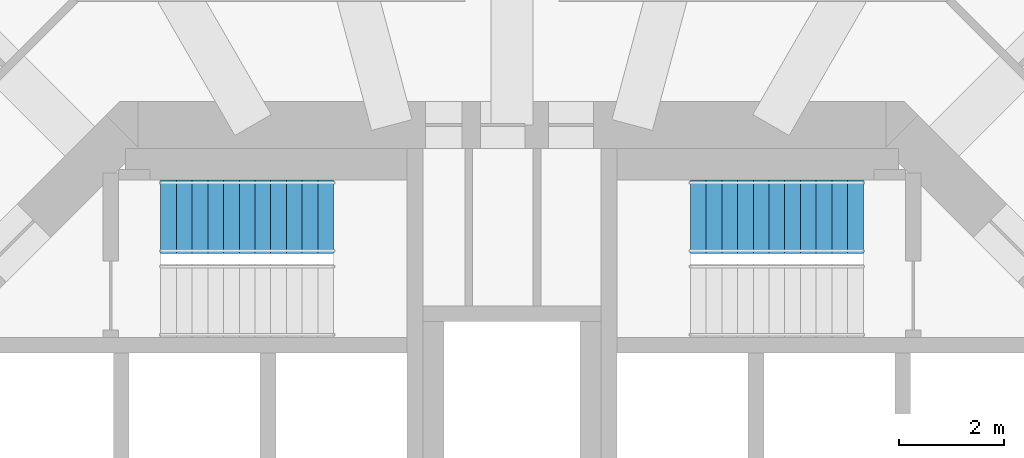
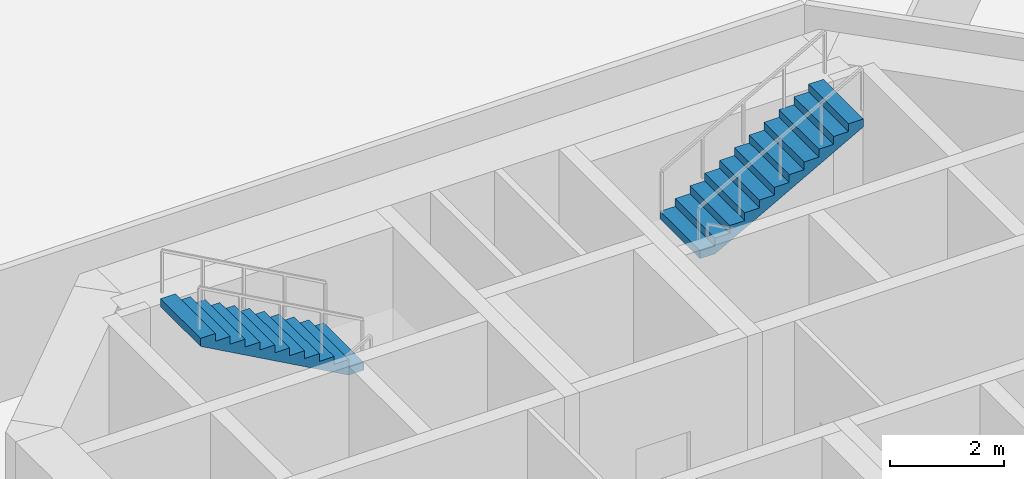
# One storey, part 7 of 9: 2 stair flights, 2 elements without a shape of their own.
"""IFC4 building model written with IfcOpenShell, lengths in metres."""

from ifc_helpers import new_model, si_unit, direction, frame, origin, place, context, subcontext, project, spatial, polyline, outline, extrude, material, type_object, element, aggregate, save


model = new_model("IFC4")

# Units and contexts
model_context = context("Model", 3, precision=1e-05, world=origin(), true_north=direction((0.0, 1.0)))
body_context = subcontext(model_context, "Body", "Model", "MODEL_VIEW")
ifc_project = project(units=[si_unit("LENGTHUNIT", "METRE"), si_unit("AREAUNIT", "SQUARE_METRE"), si_unit("VOLUMEUNIT", "CUBIC_METRE"), si_unit("PLANEANGLEUNIT", "RADIAN"), si_unit("MASSUNIT", "GRAM", prefix="KILO")], contexts=[model_context])

# Site, building, storey
site_placement = place(None, origin())
site = spatial("IfcSite", under=ifc_project, at=site_placement, CompositionType="ELEMENT")
building_placement = place(site_placement, origin())
building = spatial("IfcBuilding", under=site, at=building_placement, Name="Torre Triforio", CompositionType="ELEMENT")
storey_placement = place(building_placement, frame((0.0, 0.0, 43.0)))
storey = spatial("IfcBuildingStorey", under=building, at=storey_placement, Name="L08", CompositionType="ELEMENT", Elevation=43.0)

# Stair, stair flight
ifc_material = material(Name="Concrete C40", Category="concrete")
stair_type = type_object("IfcStairType", Name="STAIR HALF-TURN", PredefinedType="HALF_TURN_STAIR", material=ifc_material)
stair_1_placement = place(storey_placement, origin())
stair_1 = element("IfcStair", 1, at=stair_1_placement, inside=storey, type_object=stair_type, Name="Exit stair 1", PredefinedType="HALF_TURN_STAIR")
stair_flight_type = type_object("IfcStairFlightType", Name="STAIR FLIGHT 1400", PredefinedType="STRAIGHT", material=ifc_material)
stair_flight_1_placement = place(storey_placement, frame((-3.39990234375, 6.800048828125, 2.0), z_axis=(0.0, 0.0, 1.0), x_axis=(-1.0, 0.0, 0.0)))
stair_flight_1 = element("IfcStairFlight", 2, at=stair_flight_1_placement, type_object=stair_flight_type, Name="ST1 flight 2", NumberOfRisers=12, NumberOfTreads=11, PredefinedType="STRAIGHT", RiserHeight=0.166666667, TreadLength=0.3, context=body_context, shape_type="SweptSolid", body=[
    extrude(outline(polyline([(0.0, 0.0), (0.0, 0.166748046875), (0.300048828125, 0.166748046875), (0.300048828125, 0.333251953125), (0.60009765625, 0.333251953125), (0.60009765625, 0.5), (0.89990234375, 0.5), (0.89990234375, 0.666748046875), (1.199951171875, 0.666748046875), (1.199951171875, 0.833251953125), (1.5, 0.833251953125), (1.5, 1.0), (1.800048828125, 1.0), (1.800048828125, 1.166748046875), (2.10009765625, 1.166748046875), (2.10009765625, 1.333251953125), (2.39990234375, 1.333251953125), (2.39990234375, 1.5), (2.699951171875, 1.5), (2.699951171875, 1.666748046875), (3.0, 1.666748046875), (3.0, 1.833251953125), (3.300048828125, 1.833251953125), (3.300048828125, 2.0), (3.300048828125, 1.661865234375), (0.30859375, 0.0), (0.0, 0.0)])), frame((0.0, 0.699951171875, 0.0), z_axis=(0.0, -1.0, 0.0), x_axis=(1.0, 0.0, 0.0)), (0.0, 0.0, 1.0), 1.39990234375),
])
aggregate(stair_1, [stair_flight_1])

stair_2_placement = place(storey_placement, origin())
stair_2 = element("IfcStair", 3, at=stair_2_placement, inside=storey, type_object=stair_type, Name="Exit stair 2", PredefinedType="HALF_TURN_STAIR")
stair_flight_2_placement = place(storey_placement, frame((3.39990234375, 6.800048828125, 2.0), z_axis=(0.0, 0.0, 1.0), x_axis=(1.0, 0.0, 0.0)))
stair_flight_2 = element("IfcStairFlight", 4, at=stair_flight_2_placement, type_object=stair_flight_type, Name="ST2 flight 2", NumberOfRisers=12, NumberOfTreads=11, PredefinedType="STRAIGHT", RiserHeight=0.166666667, TreadLength=0.3, context=body_context, shape_type="SweptSolid", body=[
    extrude(outline(polyline([(0.0, 0.0), (0.0, 0.166748046875), (0.300048828125, 0.166748046875), (0.300048828125, 0.333251953125), (0.60009765625, 0.333251953125), (0.60009765625, 0.5), (0.89990234375, 0.5), (0.89990234375, 0.666748046875), (1.199951171875, 0.666748046875), (1.199951171875, 0.833251953125), (1.5, 0.833251953125), (1.5, 1.0), (1.800048828125, 1.0), (1.800048828125, 1.166748046875), (2.10009765625, 1.166748046875), (2.10009765625, 1.333251953125), (2.39990234375, 1.333251953125), (2.39990234375, 1.5), (2.699951171875, 1.5), (2.699951171875, 1.666748046875), (3.0, 1.666748046875), (3.0, 1.833251953125), (3.300048828125, 1.833251953125), (3.300048828125, 2.0), (3.300048828125, 1.661865234375), (0.30859375, 0.0), (0.0, 0.0)])), frame((0.0, 0.699951171875, 0.0), z_axis=(0.0, -1.0, 0.0), x_axis=(1.0, 0.0, 0.0)), (0.0, 0.0, 1.0), 1.39990234375),
])
aggregate(stair_2, [stair_flight_2])

save(model, "model.ifc")
